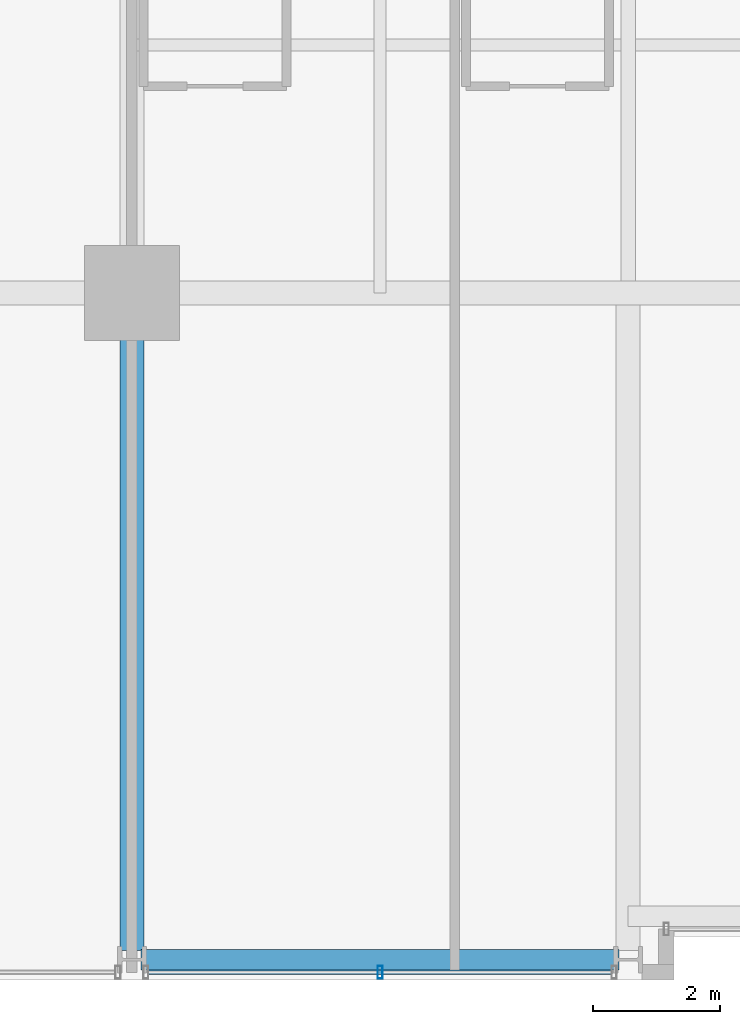
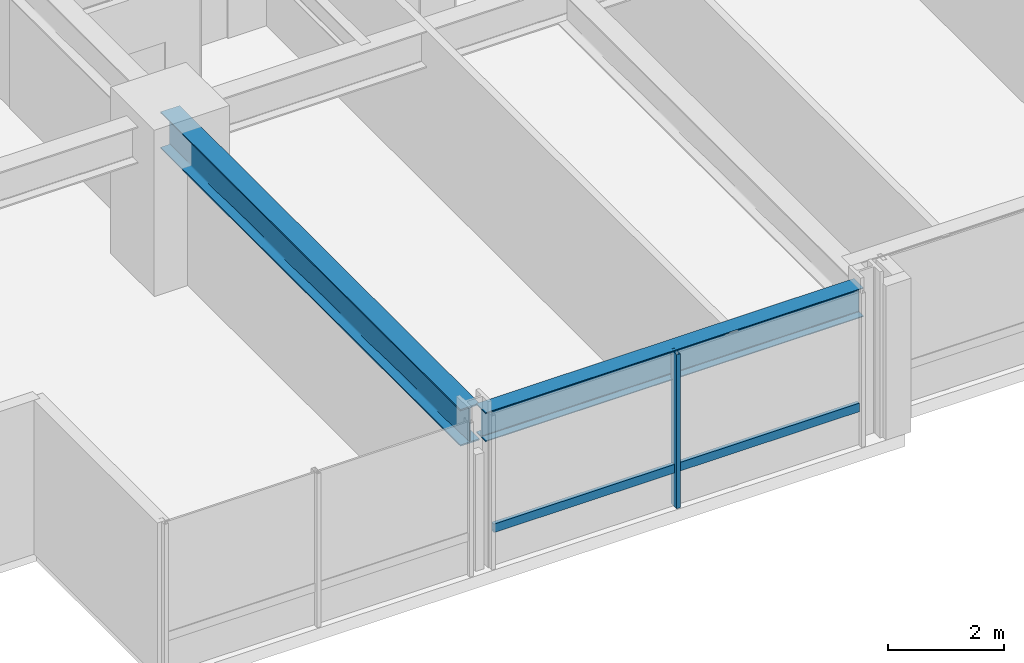
# One storey, part 3 of 34: 2 beams, 2 members, 1 element without a shape of its own.
"""IFC4 building model written with IfcOpenShell, lengths in metres."""

from ifc_helpers import new_model, si_unit, direction, frame, origin, origin_2d, place, context, subcontext, project, spatial, hollow_rectangle, i_section, extrude, material, layer, layer_set, material_profile, profile_set, type_object, element, aggregate, save


model = new_model("IFC4")

# Units and contexts
model_context = context("Model", 3, precision=1e-05, world=origin(), true_north=direction((0.0, 1.0)))
body_context = subcontext(model_context, "Body", "Model", "MODEL_VIEW")
ifc_project = project(units=[si_unit("LENGTHUNIT", "METRE"), si_unit("AREAUNIT", "SQUARE_METRE"), si_unit("VOLUMEUNIT", "CUBIC_METRE"), si_unit("PLANEANGLEUNIT", "RADIAN"), si_unit("MASSUNIT", "GRAM", prefix="KILO")], contexts=[model_context])

# Site, building, storey
site_placement = place(None, origin())
site = spatial("IfcSite", under=ifc_project, at=site_placement, CompositionType="ELEMENT")
building_placement = place(site_placement, origin())
building = spatial("IfcBuilding", under=site, at=building_placement, Name="Drelvath Grand Hotel", CompositionType="ELEMENT")
storey_placement = place(building_placement, frame((0.0, 0.0, 91.800048828125)))
storey = spatial("IfcBuildingStorey", under=building, at=storey_placement, Name="L22", CompositionType="ELEMENT", Elevation=91.800048828125)

# Curtain wall, members
ifc_material_1 = material(Name="Champagne Bronze Anodised Aluminium Frame", Category="aluminium")
ifc_layer = layer(ifc_material_1, 0.199951171875)
ifc_layer_set = layer_set([ifc_layer], Name="Champagne Bronze Anodised Aluminium Frame")
curtain_wall_type = type_object("IfcCurtainWallType", Name="Stick Curtain Wall CW-03 Champagne Bronze Mid-Rise", PredefinedType="NOTDEFINED", material=ifc_layer_set)
curtain_wall_placement = place(storey_placement, origin())
curtain_wall = element("IfcCurtainWall", 1, at=curtain_wall_placement, inside=storey, type_object=curtain_wall_type, Name="L22 CW-03 Curtain Wall CW03-L22-SW2", PredefinedType="NOTDEFINED")
ifc_material_profile_1 = material_profile(ifc_material_1, hollow_rectangle(XDim=0.074951171875, YDim=0.179931640625, WallThickness=0.0048828125, at=origin_2d()), Name="HSS180X75X5")
ifc_profile_set_1 = profile_set([ifc_material_profile_1], Name="Champagne Bronze Anodised Aluminium Frame")
member_type_1 = type_object("IfcMemberType", Name="Curtain Wall Horizontal Transom CW-03 HSS180X75X5", PredefinedType="USERDEFINED", material=ifc_profile_set_1)
member_1_placement = place(storey_placement, frame((-8.65966796875, 0.1201171875, 0.81005859375), z_axis=(-1.0, 0.0, 0.0), x_axis=(0.0, -1.0, 0.0)))
member_1 = element("IfcMember", 2, at=member_1_placement, type_object=member_type_1, Name="CW03-L22-SW2 Sill Transom", ObjectType="TRANSOM", PredefinedType="USERDEFINED", context=body_context, shape_type="SweptSolid", body=[
    extrude(hollow_rectangle(XDim=0.074951171875, YDim=0.179931640625, WallThickness=0.0048828125, at=origin_2d()), origin(), (0.0, 0.0, 1.0), 7.28076171875),
])
ifc_material_profile_2 = material_profile(ifc_material_1, hollow_rectangle(XDim=0.080078125, YDim=0.199951171875, WallThickness=0.0048828125, at=origin_2d()), Name="HSS200X80X5")
ifc_profile_set_2 = profile_set([ifc_material_profile_2], Name="Champagne Bronze Anodised Aluminium Frame")
member_type_2 = type_object("IfcMemberType", Name="Curtain Wall Vertical Mullion CW-03 HSS200X80X5", PredefinedType="MULLION", material=ifc_profile_set_2)
member_2_placement = place(storey_placement, frame((-12.300048828125, 0.1201171875, 0.0), z_axis=(0.0, 0.0, 1.0), x_axis=(1.0, 0.0, 0.0)))
member_2 = element("IfcMember", 3, at=member_2_placement, type_object=member_type_2, Name="CW03-L22-SW2 Mullion 2", PredefinedType="MULLION", context=body_context, shape_type="SweptSolid", body=[
    extrude(hollow_rectangle(XDim=0.080078125, YDim=0.199951171875, WallThickness=0.0048828125, at=origin_2d()), origin(), (0.0, 0.0, 1.0), 3.239990234375),
])
aggregate(curtain_wall, [member_2, member_1])

# Beams
ifc_material_2 = material(Name="Steel ASTM A992 Gr 50", Category="steel")
ifc_material_profile_3 = material_profile(ifc_material_2, i_section(OverallWidth=0.323974609375, OverallDepth=0.611083984375, WebThickness=0.0126953125, FlangeThickness=0.01904296875, FilletRadius=0.02197265625, at=origin_2d()), Name="W24X104")
ifc_profile_set_3 = profile_set([ifc_material_profile_3], Name="Steel ASTM A992 Gr 50")
beam_type_1 = type_object("IfcBeamType", Name="Perimeter Spandrel Beam W24X104", PredefinedType="SPANDREL", material=ifc_profile_set_3)
beam_1_placement = place(storey_placement, frame((-16.06005859375, 0.320068359375, 2.9345703125), z_axis=(1.0, 0.0, 0.0), x_axis=(0.0, 1.0, 0.0)))
element("IfcBeam", 4, at=beam_1_placement, inside=storey, type_object=beam_type_1, Name="L22 Spandrel South W", PredefinedType="SPANDREL", context=body_context, shape_type="SweptSolid", body=[
    extrude(i_section(OverallWidth=0.323974609375, OverallDepth=0.611083984375, WebThickness=0.0126953125, FlangeThickness=0.01904296875, FilletRadius=0.02197265625, at=origin_2d()), origin(), (0.0, 0.0, 1.0), 7.52001953125),
])
ifc_material_profile_4 = material_profile(ifc_material_2, i_section(OverallWidth=0.380615234375, OverallDepth=0.773193359375, WebThickness=0.0166015625, FlangeThickness=0.027099609375, FilletRadius=0.02490234375, at=origin_2d()), Name="W30X173")
ifc_profile_set_4 = profile_set([ifc_material_profile_4], Name="Steel ASTM A992 Gr 50")
beam_type_2 = type_object("IfcBeamType", Name="Primary Floor Girder W30X173", PredefinedType="BEAM", material=ifc_profile_set_4)
beam_2_placement = place(storey_placement, frame((-16.199951171875, 0.4599609375, 2.853271484375), z_axis=(0.0, 1.0, 0.0), x_axis=(-1.0, 0.0, 0.0)))
element("IfcBeam", 5, at=beam_2_placement, inside=storey, type_object=beam_type_2, Name="L22 South Grid Girder 3", PredefinedType="BEAM", context=body_context, shape_type="SweptSolid", body=[
    extrude(i_section(OverallWidth=0.380615234375, OverallDepth=0.773193359375, WebThickness=0.0166015625, FlangeThickness=0.027099609375, FilletRadius=0.02490234375, at=origin_2d()), origin(), (0.0, 0.0, 1.0), 10.340087890625),
])

save(model, "model.ifc")
